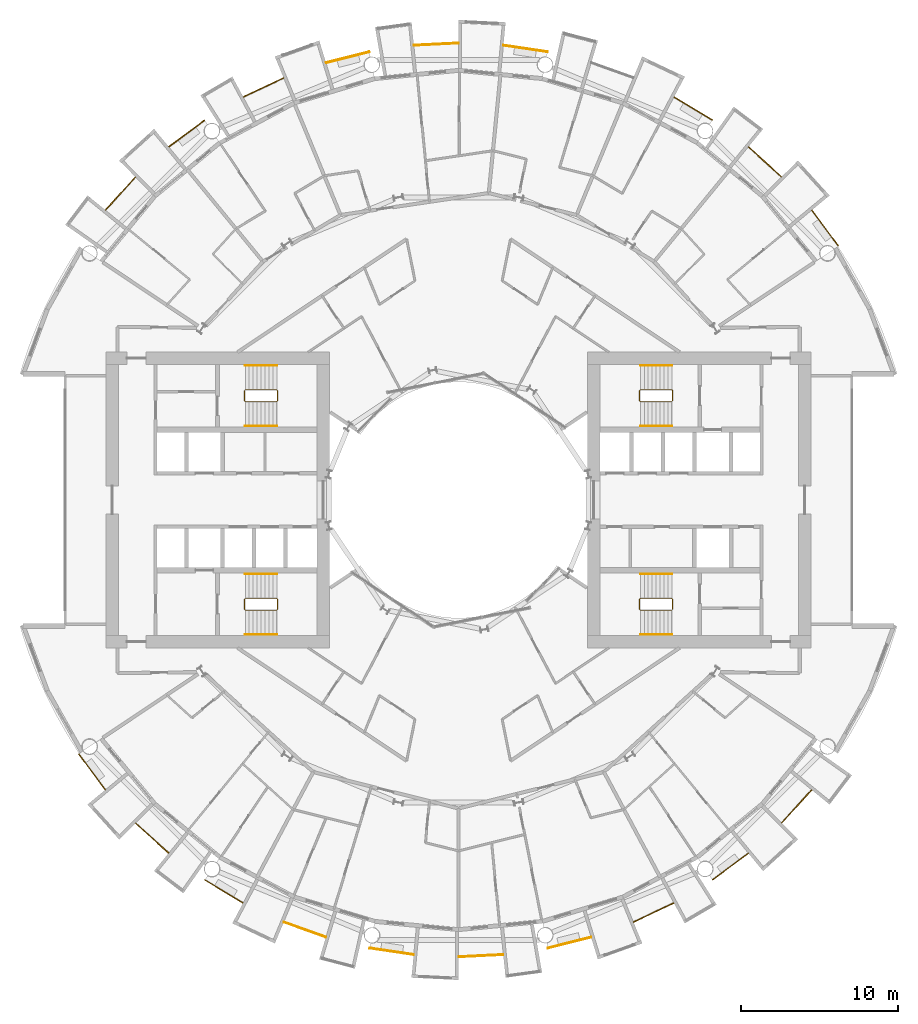
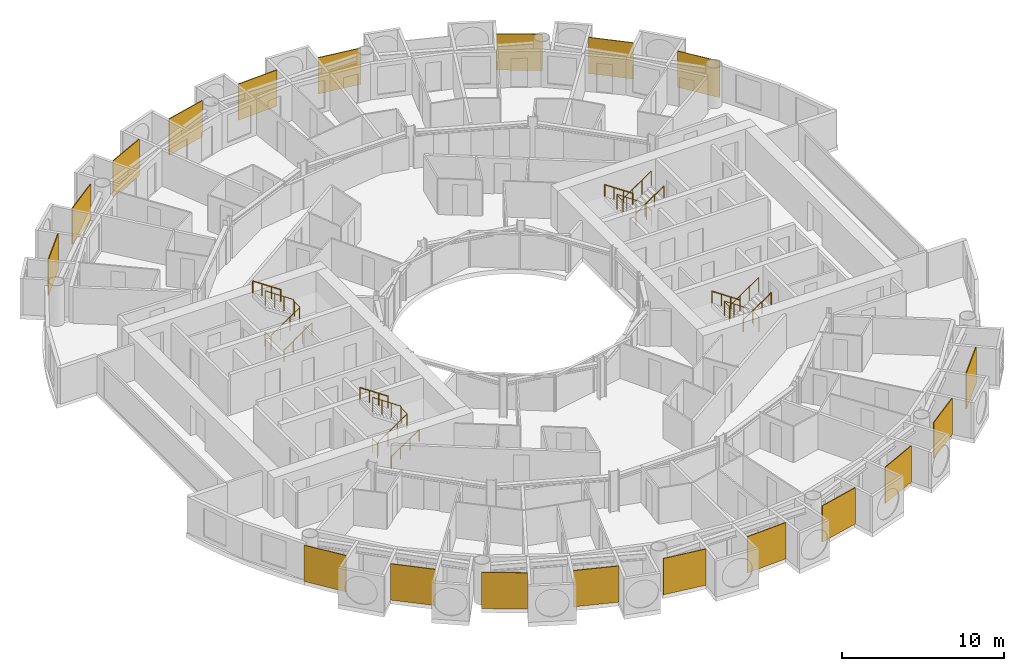
# One storey, part 25 of 26: 31 railings.
"""IFC4 building model written with IfcOpenShell, lengths in metres."""

from ifc_helpers import new_model, si_unit, direction, frame, origin, origin_2d, place, context, subcontext, project, spatial, polyline, circle, outline, extrude, material, layer, layer_set, type_object, element, save


model = new_model("IFC4")

# Units and contexts
model_context = context("Model", 3, precision=1e-05, world=origin(), true_north=direction((0.0, 1.0)))
body_context = subcontext(model_context, "Body", "Model", "MODEL_VIEW")
ifc_project = project(units=[si_unit("LENGTHUNIT", "METRE"), si_unit("AREAUNIT", "SQUARE_METRE"), si_unit("VOLUMEUNIT", "CUBIC_METRE"), si_unit("PLANEANGLEUNIT", "RADIAN"), si_unit("MASSUNIT", "GRAM", prefix="KILO")], contexts=[model_context])

# Site, building, storey
site_placement = place(None, origin())
site = spatial("IfcSite", under=ifc_project, at=site_placement, CompositionType="ELEMENT")
building_placement = place(site_placement, origin())
building = spatial("IfcBuilding", under=site, at=building_placement, Name="Maasbend Ring Residences", CompositionType="ELEMENT")
storey_placement = place(building_placement, frame((0.0, 0.0, 31.949951171875)))
storey = spatial("IfcBuildingStorey", under=building, at=storey_placement, Name="L08", CompositionType="ELEMENT", Elevation=31.949951171875)

# Railings
ifc_material_1 = material(Name="Pale anodised perforated aluminium", Category="aluminium")
ifc_layer = layer(ifc_material_1, 0.06005859375)
ifc_layer_set = layer_set([ifc_layer], Name="SCREEN-P")
railing_type_1 = type_object("IfcRailingType", Name="SCREEN-P", PredefinedType="GUARDRAIL", material=ifc_layer_set)
railing_1_placement = place(storey_placement, frame((0.0, 0.0, -0.030029296875)))
element("IfcRailing", 1, at=railing_1_placement, inside=storey, type_object=railing_type_1, Name="Perforated screen guard 1", PredefinedType="GUARDRAIL", context=body_context, shape_type="SweptSolid", body=[
    extrude(outline(polyline([(24.113037109375, 16.112060546875), (22.4169921875, 18.39697265625), (22.465087890625, 18.43310546875), (24.160888671875, 16.14697265625), (24.113037109375, 16.112060546875)])), origin(), (0.0, 0.0, 1.0), 2.72998046875),
])
railing_2_placement = place(storey_placement, frame((0.0, 0.0, -0.030029296875)))
element("IfcRailing", 2, at=railing_2_placement, inside=storey, type_object=railing_type_1, Name="Perforated screen guard 2", PredefinedType="GUARDRAIL", context=body_context, shape_type="SweptSolid", body=[
    extrude(outline(polyline([(20.506103515625, 20.506103515625), (18.39697265625, 22.4169921875), (18.43798828125, 22.4619140625), (20.5458984375, 20.551025390625), (20.506103515625, 20.506103515625)])), origin(), (0.0, 0.0, 1.0), 2.72998046875),
])
railing_3_placement = place(storey_placement, frame((0.0, 0.0, -0.030029296875)))
element("IfcRailing", 3, at=railing_3_placement, inside=storey, type_object=railing_type_1, Name="Perforated screen guard 3", PredefinedType="GUARDRAIL", context=body_context, shape_type="SweptSolid", body=[
    extrude(outline(polyline([(16.112060546875, 24.113037109375), (13.6708984375, 25.575927734375), (13.700927734375, 25.626953125), (16.14208984375, 24.1640625), (16.112060546875, 24.113037109375)])), origin(), (0.0, 0.0, 1.0), 2.72998046875),
])
railing_4_placement = place(storey_placement, frame((0.0, 0.0, -0.030029296875)))
element("IfcRailing", 4, at=railing_4_placement, inside=storey, type_object=railing_type_1, Name="Perforated screen guard 5", PredefinedType="GUARDRAIL", context=body_context, shape_type="SweptSolid", body=[
    extrude(outline(polyline([(5.657958984375, 28.443115234375), (2.842041015625, 28.860107421875), (2.85107421875, 28.919921875), (5.666015625, 28.501953125), (5.657958984375, 28.443115234375)])), origin(), (0.0, 0.0, 1.0), 2.72998046875),
])
railing_5_placement = place(storey_placement, frame((0.0, 0.0, -0.030029296875)))
element("IfcRailing", 5, at=railing_5_placement, inside=storey, type_object=railing_type_1, Name="Perforated screen guard 6", PredefinedType="GUARDRAIL", context=body_context, shape_type="SweptSolid", body=[
    extrude(outline(polyline([(0.0, 29.0), (-2.842041015625, 28.860107421875), (-2.844970703125, 28.919921875), (-0.0029296875, 29.06005859375), (0.0, 29.0)])), origin(), (0.0, 0.0, 1.0), 2.72998046875),
])
railing_6_placement = place(storey_placement, frame((0.0, 0.0, -0.030029296875)))
element("IfcRailing", 6, at=railing_6_placement, inside=storey, type_object=railing_type_1, Name="Perforated screen guard 7", PredefinedType="GUARDRAIL", context=body_context, shape_type="SweptSolid", body=[
    extrude(outline(polyline([(-5.657958984375, 28.443115234375), (-8.41796875, 27.7509765625), (-8.43310546875, 27.80908203125), (-5.672119140625, 28.5009765625), (-5.657958984375, 28.443115234375)])), origin(), (0.0, 0.0, 1.0), 2.72998046875),
])
railing_7_placement = place(storey_placement, frame((0.0, 0.0, -0.030029296875)))
element("IfcRailing", 7, at=railing_7_placement, inside=storey, type_object=railing_type_1, Name="Perforated screen guard 8", PredefinedType="GUARDRAIL", context=body_context, shape_type="SweptSolid", body=[
    extrude(outline(polyline([(-11.097900390625, 26.79296875), (-13.6708984375, 25.575927734375), (-13.696044921875, 25.6298828125), (-11.123046875, 26.846923828125), (-11.097900390625, 26.79296875)])), origin(), (0.0, 0.0, 1.0), 2.72998046875),
])
railing_8_placement = place(storey_placement, frame((0.0, 0.0, -0.030029296875)))
element("IfcRailing", 8, at=railing_8_placement, inside=storey, type_object=railing_type_1, Name="Perforated screen guard 9", PredefinedType="GUARDRAIL", context=body_context, shape_type="SweptSolid", body=[
    extrude(outline(polyline([(-16.112060546875, 24.113037109375), (-18.39697265625, 22.4169921875), (-18.43310546875, 22.465087890625), (-16.14697265625, 24.160888671875), (-16.112060546875, 24.113037109375)])), origin(), (0.0, 0.0, 1.0), 2.72998046875),
])
railing_9_placement = place(storey_placement, frame((0.0, 0.0, -0.030029296875)))
element("IfcRailing", 9, at=railing_9_placement, inside=storey, type_object=railing_type_1, Name="Perforated screen guard 10", PredefinedType="GUARDRAIL", context=body_context, shape_type="SweptSolid", body=[
    extrude(outline(polyline([(-20.506103515625, 20.506103515625), (-22.4169921875, 18.39697265625), (-22.4619140625, 18.43798828125), (-20.551025390625, 20.5458984375), (-20.506103515625, 20.506103515625)])), origin(), (0.0, 0.0, 1.0), 2.72998046875),
])
railing_10_placement = place(storey_placement, frame((0.0, 0.0, -0.030029296875)))
element("IfcRailing", 10, at=railing_10_placement, inside=storey, type_object=railing_type_1, Name="Perforated screen guard 1", PredefinedType="GUARDRAIL", context=body_context, shape_type="SweptSolid", body=[
    extrude(outline(polyline([(-24.113037109375, -16.112060546875), (-22.4169921875, -18.39697265625), (-22.465087890625, -18.43310546875), (-24.160888671875, -16.14697265625), (-24.113037109375, -16.112060546875)])), origin(), (0.0, 0.0, 1.0), 2.72998046875),
])
railing_11_placement = place(storey_placement, frame((0.0, 0.0, -0.030029296875)))
element("IfcRailing", 11, at=railing_11_placement, inside=storey, type_object=railing_type_1, Name="Perforated screen guard 2", PredefinedType="GUARDRAIL", context=body_context, shape_type="SweptSolid", body=[
    extrude(outline(polyline([(-20.506103515625, -20.506103515625), (-18.39697265625, -22.4169921875), (-18.43798828125, -22.4619140625), (-20.5458984375, -20.551025390625), (-20.506103515625, -20.506103515625)])), origin(), (0.0, 0.0, 1.0), 2.72998046875),
])
railing_12_placement = place(storey_placement, frame((0.0, 0.0, -0.030029296875)))
element("IfcRailing", 12, at=railing_12_placement, inside=storey, type_object=railing_type_1, Name="Perforated screen guard 3", PredefinedType="GUARDRAIL", context=body_context, shape_type="SweptSolid", body=[
    extrude(outline(polyline([(-16.112060546875, -24.113037109375), (-13.6708984375, -25.575927734375), (-13.700927734375, -25.626953125), (-16.14208984375, -24.1640625), (-16.112060546875, -24.113037109375)])), origin(), (0.0, 0.0, 1.0), 2.72998046875),
])
railing_13_placement = place(storey_placement, frame((0.0, 0.0, -0.030029296875)))
element("IfcRailing", 13, at=railing_13_placement, inside=storey, type_object=railing_type_1, Name="Perforated screen guard 4", PredefinedType="GUARDRAIL", context=body_context, shape_type="SweptSolid", body=[
    extrude(outline(polyline([(-11.097900390625, -26.79296875), (-8.41796875, -27.7509765625), (-8.43798828125, -27.80810546875), (-11.117919921875, -26.84912109375), (-11.097900390625, -26.79296875)])), origin(), (0.0, 0.0, 1.0), 2.72998046875),
])
railing_14_placement = place(storey_placement, frame((0.0, 0.0, -0.030029296875)))
element("IfcRailing", 14, at=railing_14_placement, inside=storey, type_object=railing_type_1, Name="Perforated screen guard 5", PredefinedType="GUARDRAIL", context=body_context, shape_type="SweptSolid", body=[
    extrude(outline(polyline([(-5.657958984375, -28.443115234375), (-2.842041015625, -28.860107421875), (-2.85107421875, -28.919921875), (-5.666015625, -28.501953125), (-5.657958984375, -28.443115234375)])), origin(), (0.0, 0.0, 1.0), 2.72998046875),
])
railing_15_placement = place(storey_placement, frame((0.0, 0.0, -0.030029296875)))
element("IfcRailing", 15, at=railing_15_placement, inside=storey, type_object=railing_type_1, Name="Perforated screen guard 6", PredefinedType="GUARDRAIL", context=body_context, shape_type="SweptSolid", body=[
    extrude(outline(polyline([(0.0, -29.0), (2.842041015625, -28.860107421875), (2.844970703125, -28.919921875), (0.0029296875, -29.06005859375), (0.0, -29.0)])), origin(), (0.0, 0.0, 1.0), 2.72998046875),
])
railing_16_placement = place(storey_placement, frame((0.0, 0.0, -0.030029296875)))
element("IfcRailing", 16, at=railing_16_placement, inside=storey, type_object=railing_type_1, Name="Perforated screen guard 7", PredefinedType="GUARDRAIL", context=body_context, shape_type="SweptSolid", body=[
    extrude(outline(polyline([(5.657958984375, -28.443115234375), (8.41796875, -27.7509765625), (8.43310546875, -27.80908203125), (5.672119140625, -28.5009765625), (5.657958984375, -28.443115234375)])), origin(), (0.0, 0.0, 1.0), 2.72998046875),
])
railing_17_placement = place(storey_placement, frame((0.0, 0.0, -0.030029296875)))
element("IfcRailing", 17, at=railing_17_placement, inside=storey, type_object=railing_type_1, Name="Perforated screen guard 8", PredefinedType="GUARDRAIL", context=body_context, shape_type="SweptSolid", body=[
    extrude(outline(polyline([(11.097900390625, -26.79296875), (13.6708984375, -25.575927734375), (13.696044921875, -25.6298828125), (11.123046875, -26.846923828125), (11.097900390625, -26.79296875)])), origin(), (0.0, 0.0, 1.0), 2.72998046875),
])
railing_18_placement = place(storey_placement, frame((0.0, 0.0, -0.030029296875)))
element("IfcRailing", 18, at=railing_18_placement, inside=storey, type_object=railing_type_1, Name="Perforated screen guard 9", PredefinedType="GUARDRAIL", context=body_context, shape_type="SweptSolid", body=[
    extrude(outline(polyline([(16.112060546875, -24.113037109375), (18.39697265625, -22.4169921875), (18.43310546875, -22.465087890625), (16.14697265625, -24.160888671875), (16.112060546875, -24.113037109375)])), origin(), (0.0, 0.0, 1.0), 2.72998046875),
])
railing_19_placement = place(storey_placement, frame((0.0, 0.0, -0.030029296875)))
element("IfcRailing", 19, at=railing_19_placement, inside=storey, type_object=railing_type_1, Name="Perforated screen guard 10", PredefinedType="GUARDRAIL", context=body_context, shape_type="SweptSolid", body=[
    extrude(outline(polyline([(20.506103515625, -20.506103515625), (22.4169921875, -18.39697265625), (22.4619140625, -18.43798828125), (20.551025390625, -20.5458984375), (20.506103515625, -20.506103515625)])), origin(), (0.0, 0.0, 1.0), 2.72998046875),
])
ifc_material_2 = material(Name="Stainless steel 316", Category="steel")
railing_type_2 = type_object("IfcRailingType", Name="STAIR GUARD 1100", PredefinedType="GUARDRAIL", material=ifc_material_2)
railing_20_placement = place(storey_placement, frame((13.60009765625, 6.300048828125, 0.0)))
element("IfcRailing", 20, at=railing_20_placement, inside=storey, type_object=railing_type_2, Name="L08 ST-E1 stair guard 1", PredefinedType="GUARDRAIL", context=body_context, shape_type="SweptSolid", body=[
    extrude(circle(Radius=0.02392578125, at=origin_2d()), frame((0.0, 0.0, 1.076171875), z_axis=(0.0, 1.0, 0.0), x_axis=(-1.0, 0.0, 0.0)), (0.0, 0.0, 1.0), 0.64990234375),
    extrude(circle(Radius=0.02392578125, at=origin_2d()), frame((0.0, 0.64990234375, 1.076171875), z_axis=(-0.272562526181, 0.272562526181, 0.92272386912), x_axis=(-0.707106781187, -0.707106781187, 0.0)), (0.0, 0.0, 1.0), 0.18359375),
    extrude(circle(Radius=0.02392578125, at=origin_2d()), frame((-0.050048828125, 0.699951171875, 1.24560546875), z_axis=(-0.827750655447, 0.0, 0.561096116906), x_axis=(0.0, -1.0, 0.0)), (0.0, 0.0, 1.0), 2.416259765625),
    extrude(circle(Radius=0.02392578125, at=origin_2d()), frame((-2.050048828125, 0.699951171875, 2.60107421875), z_axis=(-0.707106781187, -0.707106781187, 0.0), x_axis=(0.707106781187, -0.707106781187, 0.0)), (0.0, 0.0, 1.0), 0.07080078125),
    extrude(circle(Radius=0.02392578125, at=origin_2d()), frame((-2.10009765625, 0.64990234375, 2.60107421875), z_axis=(0.0, -1.0, 0.0), x_axis=(1.0, 0.0, 0.0)), (0.0, 0.0, 1.0), 0.64990234375),
    extrude(circle(Radius=0.02392578125, at=origin_2d()), frame((-2.10009765625, 0.0, 2.60107421875), z_axis=(0.272562526181, -0.272562526181, 0.92272386912), x_axis=(0.707106781187, 0.707106781187, 0.0)), (0.0, 0.0, 1.0), 0.18359375),
    extrude(circle(Radius=0.02392578125, at=origin_2d()), frame((-2.050048828125, -0.050048828125, 2.7705078125), z_axis=(0.827797584762, 0.0, 0.561026878735), x_axis=(0.0, 1.0, 0.0)), (0.0, 0.0, 1.0), 2.416015625),
    extrude(circle(Radius=0.02099609375, at=origin_2d()), origin(), (0.0, 0.0, 1.0), 1.052001953125),
    extrude(circle(Radius=0.02099609375, at=origin_2d()), frame((0.0, 0.64990234375, 0.0)), (0.0, 0.0, 1.0), 1.052001953125),
    extrude(circle(Radius=0.02099609375, at=origin_2d()), frame((-0.050048828125, 0.699951171875, 0.16943359375)), (0.0, 0.0, 1.0), 1.052001953125),
    extrude(circle(Radius=0.02099609375, at=origin_2d()), frame((-0.716796875, 0.699951171875, 0.621337890625)), (0.0, 0.0, 1.0), 1.052001953125),
    extrude(circle(Radius=0.02099609375, at=origin_2d()), frame((-1.38330078125, 0.699951171875, 1.0732421875)), (0.0, 0.0, 1.0), 1.052001953125),
    extrude(circle(Radius=0.02099609375, at=origin_2d()), frame((-2.050048828125, 0.699951171875, 1.525146484375)), (0.0, 0.0, 1.0), 1.052001953125),
    extrude(circle(Radius=0.02099609375, at=origin_2d()), frame((-2.10009765625, 0.64990234375, 1.525146484375)), (0.0, 0.0, 1.0), 1.052001953125),
    extrude(circle(Radius=0.02099609375, at=origin_2d()), frame((-2.10009765625, 0.0, 1.525146484375)), (0.0, 0.0, 1.0), 1.052001953125),
    extrude(circle(Radius=0.02099609375, at=origin_2d()), frame((-2.050048828125, -0.050048828125, 1.694580078125)), (0.0, 0.0, 1.0), 1.052001953125),
    extrude(circle(Radius=0.02099609375, at=origin_2d()), frame((-1.38330078125, -0.050048828125, 2.146484375)), (0.0, 0.0, 1.0), 1.052001953125),
    extrude(circle(Radius=0.02099609375, at=origin_2d()), frame((-0.716796875, -0.050048828125, 2.59814453125)), (0.0, 0.0, 1.0), 1.052001953125),
    extrude(circle(Radius=0.02099609375, at=origin_2d()), frame((-0.050048828125, -0.050048828125, 3.050048828125)), (0.0, 0.0, 1.0), 1.052001953125),
])
railing_21_placement = place(storey_placement, frame((13.60009765625, -6.949951171875, 0.0)))
element("IfcRailing", 21, at=railing_21_placement, inside=storey, type_object=railing_type_2, Name="L08 ST-E2 stair guard 1", PredefinedType="GUARDRAIL", context=body_context, shape_type="SweptSolid", body=[
    extrude(circle(Radius=0.02392578125, at=origin_2d()), frame((0.0, 0.0, 1.076171875), z_axis=(0.0, 1.0, 0.0), x_axis=(-1.0, 0.0, 0.0)), (0.0, 0.0, 1.0), 0.64990234375),
    extrude(circle(Radius=0.02392578125, at=origin_2d()), frame((0.0, 0.64990234375, 1.076171875), z_axis=(-0.272562526181, 0.272562526181, 0.92272386912), x_axis=(-0.707106781187, -0.707106781187, 0.0)), (0.0, 0.0, 1.0), 0.18359375),
    extrude(circle(Radius=0.02392578125, at=origin_2d()), frame((-0.050048828125, 0.699951171875, 1.24560546875), z_axis=(-0.827750655447, 0.0, 0.561096116906), x_axis=(0.0, -1.0, 0.0)), (0.0, 0.0, 1.0), 2.416259765625),
    extrude(circle(Radius=0.02392578125, at=origin_2d()), frame((-2.050048828125, 0.699951171875, 2.60107421875), z_axis=(-0.707106781187, -0.707106781187, 0.0), x_axis=(0.707106781187, -0.707106781187, 0.0)), (0.0, 0.0, 1.0), 0.07080078125),
    extrude(circle(Radius=0.02392578125, at=origin_2d()), frame((-2.10009765625, 0.64990234375, 2.60107421875), z_axis=(0.0, -1.0, 0.0), x_axis=(1.0, 0.0, 0.0)), (0.0, 0.0, 1.0), 0.64990234375),
    extrude(circle(Radius=0.02392578125, at=origin_2d()), frame((-2.10009765625, 0.0, 2.60107421875), z_axis=(0.272562526181, -0.272562526181, 0.92272386912), x_axis=(0.707106781187, 0.707106781187, 0.0)), (0.0, 0.0, 1.0), 0.18359375),
    extrude(circle(Radius=0.02392578125, at=origin_2d()), frame((-2.050048828125, -0.050048828125, 2.7705078125), z_axis=(0.827797584762, 0.0, 0.561026878735), x_axis=(0.0, 1.0, 0.0)), (0.0, 0.0, 1.0), 2.416015625),
    extrude(circle(Radius=0.02099609375, at=origin_2d()), origin(), (0.0, 0.0, 1.0), 1.052001953125),
    extrude(circle(Radius=0.02099609375, at=origin_2d()), frame((0.0, 0.64990234375, 0.0)), (0.0, 0.0, 1.0), 1.052001953125),
    extrude(circle(Radius=0.02099609375, at=origin_2d()), frame((-0.050048828125, 0.699951171875, 0.16943359375)), (0.0, 0.0, 1.0), 1.052001953125),
    extrude(circle(Radius=0.02099609375, at=origin_2d()), frame((-0.716796875, 0.699951171875, 0.621337890625)), (0.0, 0.0, 1.0), 1.052001953125),
    extrude(circle(Radius=0.02099609375, at=origin_2d()), frame((-1.38330078125, 0.699951171875, 1.0732421875)), (0.0, 0.0, 1.0), 1.052001953125),
    extrude(circle(Radius=0.02099609375, at=origin_2d()), frame((-2.050048828125, 0.699951171875, 1.525146484375)), (0.0, 0.0, 1.0), 1.052001953125),
    extrude(circle(Radius=0.02099609375, at=origin_2d()), frame((-2.10009765625, 0.64990234375, 1.525146484375)), (0.0, 0.0, 1.0), 1.052001953125),
    extrude(circle(Radius=0.02099609375, at=origin_2d()), frame((-2.10009765625, 0.0, 1.525146484375)), (0.0, 0.0, 1.0), 1.052001953125),
    extrude(circle(Radius=0.02099609375, at=origin_2d()), frame((-2.050048828125, -0.050048828125, 1.694580078125)), (0.0, 0.0, 1.0), 1.052001953125),
    extrude(circle(Radius=0.02099609375, at=origin_2d()), frame((-1.38330078125, -0.050048828125, 2.146484375)), (0.0, 0.0, 1.0), 1.052001953125),
    extrude(circle(Radius=0.02099609375, at=origin_2d()), frame((-0.716796875, -0.050048828125, 2.59814453125)), (0.0, 0.0, 1.0), 1.052001953125),
    extrude(circle(Radius=0.02099609375, at=origin_2d()), frame((-0.050048828125, -0.050048828125, 3.050048828125)), (0.0, 0.0, 1.0), 1.052001953125),
])
railing_22_placement = place(storey_placement, frame((-13.60009765625, -6.300048828125, 0.0)))
element("IfcRailing", 22, at=railing_22_placement, inside=storey, type_object=railing_type_2, Name="L08 ST-W1 stair guard 1", PredefinedType="GUARDRAIL", context=body_context, shape_type="SweptSolid", body=[
    extrude(circle(Radius=0.02392578125, at=origin_2d()), frame((0.0, 0.0, 1.076171875), z_axis=(0.0, -1.0, 0.0), x_axis=(1.0, 0.0, 0.0)), (0.0, 0.0, 1.0), 0.64990234375),
    extrude(circle(Radius=0.02392578125, at=origin_2d()), frame((0.0, -0.64990234375, 1.076171875), z_axis=(0.272562526181, -0.272562526181, 0.92272386912), x_axis=(0.707106781187, 0.707106781187, 0.0)), (0.0, 0.0, 1.0), 0.18359375),
    extrude(circle(Radius=0.02392578125, at=origin_2d()), frame((0.050048828125, -0.699951171875, 1.24560546875), z_axis=(0.827750655447, 0.0, 0.561096116906), x_axis=(0.0, 1.0, 0.0)), (0.0, 0.0, 1.0), 2.416259765625),
    extrude(circle(Radius=0.02392578125, at=origin_2d()), frame((2.050048828125, -0.699951171875, 2.60107421875), z_axis=(0.707106781187, 0.707106781187, 0.0), x_axis=(-0.707106781187, 0.707106781187, 0.0)), (0.0, 0.0, 1.0), 0.07080078125),
    extrude(circle(Radius=0.02392578125, at=origin_2d()), frame((2.10009765625, -0.64990234375, 2.60107421875), z_axis=(0.0, 1.0, 0.0), x_axis=(-1.0, 0.0, 0.0)), (0.0, 0.0, 1.0), 0.64990234375),
    extrude(circle(Radius=0.02392578125, at=origin_2d()), frame((2.10009765625, 0.0, 2.60107421875), z_axis=(-0.272562526181, 0.272562526181, 0.92272386912), x_axis=(-0.707106781187, -0.707106781187, 0.0)), (0.0, 0.0, 1.0), 0.18359375),
    extrude(circle(Radius=0.02392578125, at=origin_2d()), frame((2.050048828125, 0.050048828125, 2.7705078125), z_axis=(-0.827797584762, 0.0, 0.561026878735), x_axis=(0.0, -1.0, 0.0)), (0.0, 0.0, 1.0), 2.416015625),
    extrude(circle(Radius=0.02099609375, at=origin_2d()), origin(), (0.0, 0.0, 1.0), 1.052001953125),
    extrude(circle(Radius=0.02099609375, at=origin_2d()), frame((0.0, -0.64990234375, 0.0)), (0.0, 0.0, 1.0), 1.052001953125),
    extrude(circle(Radius=0.02099609375, at=origin_2d()), frame((0.050048828125, -0.699951171875, 0.16943359375)), (0.0, 0.0, 1.0), 1.052001953125),
    extrude(circle(Radius=0.02099609375, at=origin_2d()), frame((0.716796875, -0.699951171875, 0.621337890625)), (0.0, 0.0, 1.0), 1.052001953125),
    extrude(circle(Radius=0.02099609375, at=origin_2d()), frame((1.38330078125, -0.699951171875, 1.0732421875)), (0.0, 0.0, 1.0), 1.052001953125),
    extrude(circle(Radius=0.02099609375, at=origin_2d()), frame((2.050048828125, -0.699951171875, 1.525146484375)), (0.0, 0.0, 1.0), 1.052001953125),
    extrude(circle(Radius=0.02099609375, at=origin_2d()), frame((2.10009765625, -0.64990234375, 1.525146484375)), (0.0, 0.0, 1.0), 1.052001953125),
    extrude(circle(Radius=0.02099609375, at=origin_2d()), frame((2.10009765625, 0.0, 1.525146484375)), (0.0, 0.0, 1.0), 1.052001953125),
    extrude(circle(Radius=0.02099609375, at=origin_2d()), frame((2.050048828125, 0.050048828125, 1.694580078125)), (0.0, 0.0, 1.0), 1.052001953125),
    extrude(circle(Radius=0.02099609375, at=origin_2d()), frame((1.38330078125, 0.050048828125, 2.146484375)), (0.0, 0.0, 1.0), 1.052001953125),
    extrude(circle(Radius=0.02099609375, at=origin_2d()), frame((0.716796875, 0.050048828125, 2.59814453125)), (0.0, 0.0, 1.0), 1.052001953125),
    extrude(circle(Radius=0.02099609375, at=origin_2d()), frame((0.050048828125, 0.050048828125, 3.050048828125)), (0.0, 0.0, 1.0), 1.052001953125),
])
railing_23_placement = place(storey_placement, frame((-13.60009765625, 6.949951171875, 0.0)))
element("IfcRailing", 23, at=railing_23_placement, inside=storey, type_object=railing_type_2, Name="L08 ST-W2 stair guard 1", PredefinedType="GUARDRAIL", context=body_context, shape_type="SweptSolid", body=[
    extrude(circle(Radius=0.02392578125, at=origin_2d()), frame((0.0, 0.0, 1.076171875), z_axis=(0.0, -1.0, 0.0), x_axis=(1.0, 0.0, 0.0)), (0.0, 0.0, 1.0), 0.64990234375),
    extrude(circle(Radius=0.02392578125, at=origin_2d()), frame((0.0, -0.64990234375, 1.076171875), z_axis=(0.272562526181, -0.272562526181, 0.92272386912), x_axis=(0.707106781187, 0.707106781187, 0.0)), (0.0, 0.0, 1.0), 0.18359375),
    extrude(circle(Radius=0.02392578125, at=origin_2d()), frame((0.050048828125, -0.699951171875, 1.24560546875), z_axis=(0.827750655447, 0.0, 0.561096116906), x_axis=(0.0, 1.0, 0.0)), (0.0, 0.0, 1.0), 2.416259765625),
    extrude(circle(Radius=0.02392578125, at=origin_2d()), frame((2.050048828125, -0.699951171875, 2.60107421875), z_axis=(0.707106781187, 0.707106781187, 0.0), x_axis=(-0.707106781187, 0.707106781187, 0.0)), (0.0, 0.0, 1.0), 0.07080078125),
    extrude(circle(Radius=0.02392578125, at=origin_2d()), frame((2.10009765625, -0.64990234375, 2.60107421875), z_axis=(0.0, 1.0, 0.0), x_axis=(-1.0, 0.0, 0.0)), (0.0, 0.0, 1.0), 0.64990234375),
    extrude(circle(Radius=0.02392578125, at=origin_2d()), frame((2.10009765625, 0.0, 2.60107421875), z_axis=(-0.272562526181, 0.272562526181, 0.92272386912), x_axis=(-0.707106781187, -0.707106781187, 0.0)), (0.0, 0.0, 1.0), 0.18359375),
    extrude(circle(Radius=0.02392578125, at=origin_2d()), frame((2.050048828125, 0.050048828125, 2.7705078125), z_axis=(-0.827797584762, 0.0, 0.561026878735), x_axis=(0.0, -1.0, 0.0)), (0.0, 0.0, 1.0), 2.416015625),
    extrude(circle(Radius=0.02099609375, at=origin_2d()), origin(), (0.0, 0.0, 1.0), 1.052001953125),
    extrude(circle(Radius=0.02099609375, at=origin_2d()), frame((0.0, -0.64990234375, 0.0)), (0.0, 0.0, 1.0), 1.052001953125),
    extrude(circle(Radius=0.02099609375, at=origin_2d()), frame((0.050048828125, -0.699951171875, 0.16943359375)), (0.0, 0.0, 1.0), 1.052001953125),
    extrude(circle(Radius=0.02099609375, at=origin_2d()), frame((0.716796875, -0.699951171875, 0.621337890625)), (0.0, 0.0, 1.0), 1.052001953125),
    extrude(circle(Radius=0.02099609375, at=origin_2d()), frame((1.38330078125, -0.699951171875, 1.0732421875)), (0.0, 0.0, 1.0), 1.052001953125),
    extrude(circle(Radius=0.02099609375, at=origin_2d()), frame((2.050048828125, -0.699951171875, 1.525146484375)), (0.0, 0.0, 1.0), 1.052001953125),
    extrude(circle(Radius=0.02099609375, at=origin_2d()), frame((2.10009765625, -0.64990234375, 1.525146484375)), (0.0, 0.0, 1.0), 1.052001953125),
    extrude(circle(Radius=0.02099609375, at=origin_2d()), frame((2.10009765625, 0.0, 1.525146484375)), (0.0, 0.0, 1.0), 1.052001953125),
    extrude(circle(Radius=0.02099609375, at=origin_2d()), frame((2.050048828125, 0.050048828125, 1.694580078125)), (0.0, 0.0, 1.0), 1.052001953125),
    extrude(circle(Radius=0.02099609375, at=origin_2d()), frame((1.38330078125, 0.050048828125, 2.146484375)), (0.0, 0.0, 1.0), 1.052001953125),
    extrude(circle(Radius=0.02099609375, at=origin_2d()), frame((0.716796875, 0.050048828125, 2.59814453125)), (0.0, 0.0, 1.0), 1.052001953125),
    extrude(circle(Radius=0.02099609375, at=origin_2d()), frame((0.050048828125, 0.050048828125, 3.050048828125)), (0.0, 0.0, 1.0), 1.052001953125),
])
ifc_material_3 = material(Name="Stainless steel 316", Category="steel")
railing_type_3 = type_object("IfcRailingType", Name="STAIR HANDRAIL 900", PredefinedType="HANDRAIL", material=ifc_material_3)
railing_24_placement = place(storey_placement, frame((13.550048828125, 8.550048828125, 0.16943359375)))
element("IfcRailing", 24, at=railing_24_placement, inside=storey, type_object=railing_type_3, Name="L08 ST-E1 stair handrail 1", PredefinedType="HANDRAIL", context=body_context, shape_type="SweptSolid", body=[
    extrude(circle(Radius=0.02392578125, at=origin_2d()), frame((0.0, 0.0, 0.8759765625), z_axis=(-0.827750655447, 0.0, 0.561096116906), x_axis=(0.0, -1.0, 0.0)), (0.0, 0.0, 1.0), 2.416259765625),
    extrude(circle(Radius=0.02099609375, at=origin_2d()), origin(), (0.0, 0.0, 1.0), 0.851806640625),
    extrude(circle(Radius=0.02099609375, at=origin_2d()), frame((-0.666748046875, 0.0, 0.451904296875)), (0.0, 0.0, 1.0), 0.851806640625),
    extrude(circle(Radius=0.02099609375, at=origin_2d()), frame((-1.333251953125, 0.0, 0.90380859375)), (0.0, 0.0, 1.0), 0.851806640625),
    extrude(circle(Radius=0.02099609375, at=origin_2d()), frame((-2.0, 0.0, 1.355712890625)), (0.0, 0.0, 1.0), 0.851806640625),
])
railing_25_placement = place(storey_placement, frame((11.550048828125, 4.699951171875, 1.694580078125)))
element("IfcRailing", 25, at=railing_25_placement, inside=storey, type_object=railing_type_3, Name="L08 ST-E1 stair handrail 2", PredefinedType="HANDRAIL", context=body_context, shape_type="SweptSolid", body=[
    extrude(circle(Radius=0.02392578125, at=origin_2d()), frame((0.0, 0.0, 0.8759765625), z_axis=(0.827797584762, 0.0, 0.561026878735), x_axis=(0.0, 1.0, 0.0)), (0.0, 0.0, 1.0), 2.416015625),
    extrude(circle(Radius=0.02099609375, at=origin_2d()), origin(), (0.0, 0.0, 1.0), 0.851806640625),
    extrude(circle(Radius=0.02099609375, at=origin_2d()), frame((0.666748046875, 0.0, 0.451904296875)), (0.0, 0.0, 1.0), 0.851806640625),
    extrude(circle(Radius=0.02099609375, at=origin_2d()), frame((1.333251953125, 0.0, 0.903564453125)), (0.0, 0.0, 1.0), 0.851806640625),
    extrude(circle(Radius=0.02099609375, at=origin_2d()), frame((2.0, 0.0, 1.35546875)), (0.0, 0.0, 1.0), 0.851806640625),
])
railing_26_placement = place(storey_placement, frame((13.550048828125, -4.699951171875, 0.16943359375)))
element("IfcRailing", 26, at=railing_26_placement, inside=storey, type_object=railing_type_3, Name="L08 ST-E2 stair handrail 1", PredefinedType="HANDRAIL", context=body_context, shape_type="SweptSolid", body=[
    extrude(circle(Radius=0.02392578125, at=origin_2d()), frame((0.0, 0.0, 0.8759765625), z_axis=(-0.827750655447, 0.0, 0.561096116906), x_axis=(0.0, -1.0, 0.0)), (0.0, 0.0, 1.0), 2.416259765625),
    extrude(circle(Radius=0.02099609375, at=origin_2d()), origin(), (0.0, 0.0, 1.0), 0.851806640625),
    extrude(circle(Radius=0.02099609375, at=origin_2d()), frame((-0.666748046875, 0.0, 0.451904296875)), (0.0, 0.0, 1.0), 0.851806640625),
    extrude(circle(Radius=0.02099609375, at=origin_2d()), frame((-1.333251953125, 0.0, 0.90380859375)), (0.0, 0.0, 1.0), 0.851806640625),
    extrude(circle(Radius=0.02099609375, at=origin_2d()), frame((-2.0, 0.0, 1.355712890625)), (0.0, 0.0, 1.0), 0.851806640625),
])
railing_27_placement = place(storey_placement, frame((11.550048828125, -8.550048828125, 1.694580078125)))
element("IfcRailing", 27, at=railing_27_placement, inside=storey, type_object=railing_type_3, Name="L08 ST-E2 stair handrail 2", PredefinedType="HANDRAIL", context=body_context, shape_type="SweptSolid", body=[
    extrude(circle(Radius=0.02392578125, at=origin_2d()), frame((0.0, 0.0, 0.8759765625), z_axis=(0.827797584762, 0.0, 0.561026878735), x_axis=(0.0, 1.0, 0.0)), (0.0, 0.0, 1.0), 2.416015625),
    extrude(circle(Radius=0.02099609375, at=origin_2d()), origin(), (0.0, 0.0, 1.0), 0.851806640625),
    extrude(circle(Radius=0.02099609375, at=origin_2d()), frame((0.666748046875, 0.0, 0.451904296875)), (0.0, 0.0, 1.0), 0.851806640625),
    extrude(circle(Radius=0.02099609375, at=origin_2d()), frame((1.333251953125, 0.0, 0.903564453125)), (0.0, 0.0, 1.0), 0.851806640625),
    extrude(circle(Radius=0.02099609375, at=origin_2d()), frame((2.0, 0.0, 1.35546875)), (0.0, 0.0, 1.0), 0.851806640625),
])
railing_28_placement = place(storey_placement, frame((-13.550048828125, -8.550048828125, 0.16943359375)))
element("IfcRailing", 28, at=railing_28_placement, inside=storey, type_object=railing_type_3, Name="L08 ST-W1 stair handrail 1", PredefinedType="HANDRAIL", context=body_context, shape_type="SweptSolid", body=[
    extrude(circle(Radius=0.02392578125, at=origin_2d()), frame((0.0, 0.0, 0.8759765625), z_axis=(0.827750655447, 0.0, 0.561096116906), x_axis=(0.0, 1.0, 0.0)), (0.0, 0.0, 1.0), 2.416259765625),
    extrude(circle(Radius=0.02099609375, at=origin_2d()), origin(), (0.0, 0.0, 1.0), 0.851806640625),
    extrude(circle(Radius=0.02099609375, at=origin_2d()), frame((0.666748046875, 0.0, 0.451904296875)), (0.0, 0.0, 1.0), 0.851806640625),
    extrude(circle(Radius=0.02099609375, at=origin_2d()), frame((1.333251953125, 0.0, 0.90380859375)), (0.0, 0.0, 1.0), 0.851806640625),
    extrude(circle(Radius=0.02099609375, at=origin_2d()), frame((2.0, 0.0, 1.355712890625)), (0.0, 0.0, 1.0), 0.851806640625),
])
railing_29_placement = place(storey_placement, frame((-11.550048828125, -4.699951171875, 1.694580078125)))
element("IfcRailing", 29, at=railing_29_placement, inside=storey, type_object=railing_type_3, Name="L08 ST-W1 stair handrail 2", PredefinedType="HANDRAIL", context=body_context, shape_type="SweptSolid", body=[
    extrude(circle(Radius=0.02392578125, at=origin_2d()), frame((0.0, 0.0, 0.8759765625), z_axis=(-0.827797584762, 0.0, 0.561026878735), x_axis=(0.0, -1.0, 0.0)), (0.0, 0.0, 1.0), 2.416015625),
    extrude(circle(Radius=0.02099609375, at=origin_2d()), origin(), (0.0, 0.0, 1.0), 0.851806640625),
    extrude(circle(Radius=0.02099609375, at=origin_2d()), frame((-0.666748046875, 0.0, 0.451904296875)), (0.0, 0.0, 1.0), 0.851806640625),
    extrude(circle(Radius=0.02099609375, at=origin_2d()), frame((-1.333251953125, 0.0, 0.903564453125)), (0.0, 0.0, 1.0), 0.851806640625),
    extrude(circle(Radius=0.02099609375, at=origin_2d()), frame((-2.0, 0.0, 1.35546875)), (0.0, 0.0, 1.0), 0.851806640625),
])
railing_30_placement = place(storey_placement, frame((-13.550048828125, 4.699951171875, 0.16943359375)))
element("IfcRailing", 30, at=railing_30_placement, inside=storey, type_object=railing_type_3, Name="L08 ST-W2 stair handrail 1", PredefinedType="HANDRAIL", context=body_context, shape_type="SweptSolid", body=[
    extrude(circle(Radius=0.02392578125, at=origin_2d()), frame((0.0, 0.0, 0.8759765625), z_axis=(0.827750655447, 0.0, 0.561096116906), x_axis=(0.0, 1.0, 0.0)), (0.0, 0.0, 1.0), 2.416259765625),
    extrude(circle(Radius=0.02099609375, at=origin_2d()), origin(), (0.0, 0.0, 1.0), 0.851806640625),
    extrude(circle(Radius=0.02099609375, at=origin_2d()), frame((0.666748046875, 0.0, 0.451904296875)), (0.0, 0.0, 1.0), 0.851806640625),
    extrude(circle(Radius=0.02099609375, at=origin_2d()), frame((1.333251953125, 0.0, 0.90380859375)), (0.0, 0.0, 1.0), 0.851806640625),
    extrude(circle(Radius=0.02099609375, at=origin_2d()), frame((2.0, 0.0, 1.355712890625)), (0.0, 0.0, 1.0), 0.851806640625),
])
railing_31_placement = place(storey_placement, frame((-11.550048828125, 8.550048828125, 1.694580078125)))
element("IfcRailing", 31, at=railing_31_placement, inside=storey, type_object=railing_type_3, Name="L08 ST-W2 stair handrail 2", PredefinedType="HANDRAIL", context=body_context, shape_type="SweptSolid", body=[
    extrude(circle(Radius=0.02392578125, at=origin_2d()), frame((0.0, 0.0, 0.8759765625), z_axis=(-0.827797584762, 0.0, 0.561026878735), x_axis=(0.0, -1.0, 0.0)), (0.0, 0.0, 1.0), 2.416015625),
    extrude(circle(Radius=0.02099609375, at=origin_2d()), origin(), (0.0, 0.0, 1.0), 0.851806640625),
    extrude(circle(Radius=0.02099609375, at=origin_2d()), frame((-0.666748046875, 0.0, 0.451904296875)), (0.0, 0.0, 1.0), 0.851806640625),
    extrude(circle(Radius=0.02099609375, at=origin_2d()), frame((-1.333251953125, 0.0, 0.903564453125)), (0.0, 0.0, 1.0), 0.851806640625),
    extrude(circle(Radius=0.02099609375, at=origin_2d()), frame((-2.0, 0.0, 1.35546875)), (0.0, 0.0, 1.0), 0.851806640625),
])

save(model, "model.ifc")
